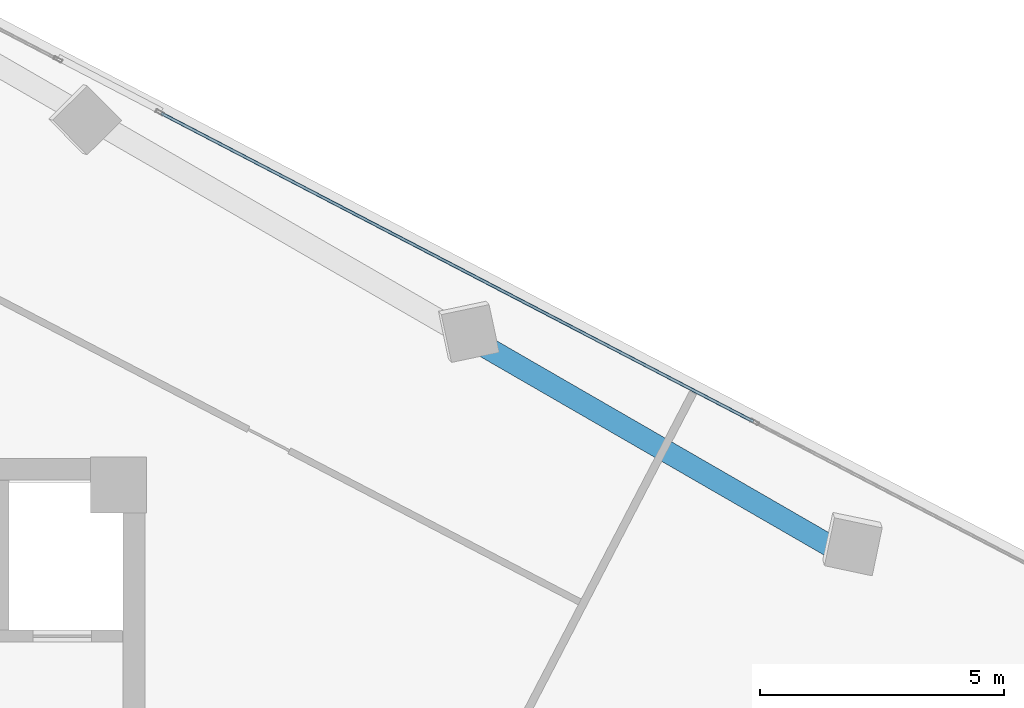
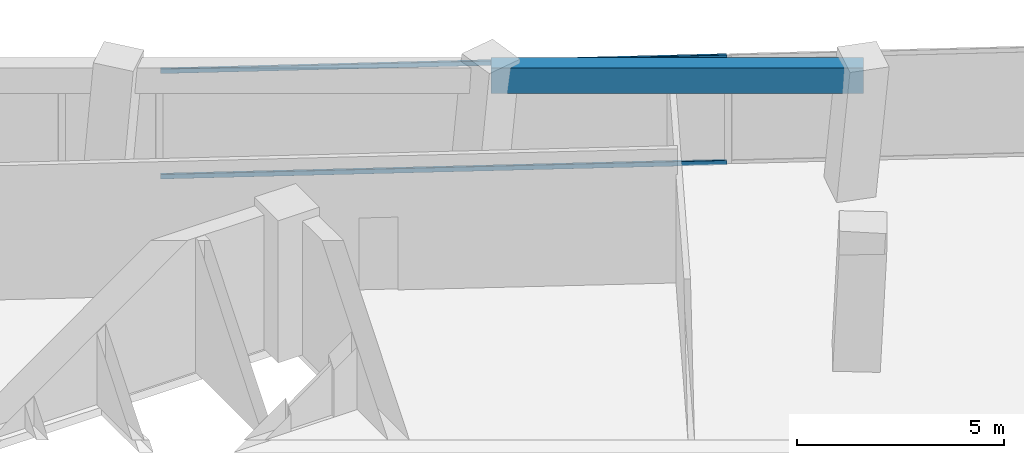
# One storey, part 14 of 22: 2 members, 1 beam, 1 element without a shape of its own.
"""IFC4 building model written with IfcOpenShell, lengths in metres."""

from ifc_helpers import new_model, si_unit, direction, frame, origin, origin_2d, place, context, subcontext, project, spatial, rectangle, hollow_rectangle, extrude, source, transform, mapped, material, material_profile, profile_set, type_object, element, aggregate, save


model = new_model("IFC4")

# Units and contexts
model_context = context("Model", 3, precision=1e-05, world=origin(), true_north=direction((0.0, 1.0)))
body_context = subcontext(model_context, "Body", "Model", "MODEL_VIEW")
ifc_project = project(units=[si_unit("LENGTHUNIT", "METRE"), si_unit("AREAUNIT", "SQUARE_METRE"), si_unit("VOLUMEUNIT", "CUBIC_METRE"), si_unit("PLANEANGLEUNIT", "RADIAN"), si_unit("MASSUNIT", "GRAM", prefix="KILO")], contexts=[model_context])

# Site, building, storey
site_placement = place(None, origin())
site = spatial("IfcSite", under=ifc_project, at=site_placement, CompositionType="ELEMENT")
building_placement = place(site_placement, origin())
building = spatial("IfcBuilding", under=site, at=building_placement, Name="Torre Montelarca", CompositionType="ELEMENT")
storey_placement = place(building_placement, frame((0.0, 0.0, 175.0)))
storey = spatial("IfcBuildingStorey", under=building, at=storey_placement, Name="L39", CompositionType="ELEMENT", Elevation=175.0)

# Beam
ifc_material_1 = material(Name="Concrete C55/67", Category="concrete")
ifc_material_profile_1 = material_profile(ifc_material_1, rectangle(XDim=0.449951171875, YDim=0.75, at=origin_2d()), Name="RCB450X750", Category="concrete")
ifc_profile_set_1 = profile_set([ifc_material_profile_1], Name="Concrete C55/67")
beam_type = type_object("IfcBeamType", Name="BM-SP-RC750-EXT", PredefinedType="SPANDREL", material=ifc_profile_set_1)
shared_shape_1 = source(origin(), body_context, "Body", "SweptSolid", [
    extrude(rectangle(XDim=0.449951171875, YDim=0.75, at=origin_2d()), origin(), (0.0, 0.0, 1.0), 9.0),
])
beam_placement = place(storey_placement, frame((33.838134765625, 42.370361328125, 3.5849609375), z_axis=(0.866024315419, -0.5000018851, 0.0), x_axis=(0.5000018851, 0.866024315419, 0.0)))
element("IfcBeam", 1, at=beam_placement, inside=storey, type_object=beam_type, Name="L39 Grid Girder X 27.0-36.0 at Y=47.1", PredefinedType="SPANDREL", context=body_context, shape_type="MappedRepresentation", body=[
    mapped(shared_shape_1, transform((0.0, 0.0, 0.0), scale=1.0)),
])

# Curtain wall, members
ifc_material_2 = material(Name="Insulated low-E laminated glass", Category="glass")
curtain_wall_type = type_object("IfcCurtainWallType", Name="CW-SYS-Z2", PredefinedType="USERDEFINED", material=ifc_material_2)
curtain_wall_placement = place(storey_placement, origin())
curtain_wall = element("IfcCurtainWall", 2, at=curtain_wall_placement, inside=storey, type_object=curtain_wall_type, Name="L39 Curtain Wall Run CW-T3-L39-E08-B1", ObjectType="UNITISED GLAZING", PredefinedType="USERDEFINED")
ifc_material_3 = material(Name="Anodised aluminium AA 6063-T6", Category="aluminium")
ifc_material_profile_2 = material_profile(ifc_material_3, hollow_rectangle(XDim=0.06494140625, YDim=0.139892578125, WallThickness=0.00390625, InnerFilletRadius=0.00390625, OuterFilletRadius=0.008056640625, at=origin_2d()), Name="ALU65X140X4", Category="aluminium")
ifc_profile_set_2 = profile_set([ifc_material_profile_2], Name="Anodised aluminium AA 6063-T6")
member_type = type_object("IfcMemberType", Name="CWT-ALU140", PredefinedType="USERDEFINED", material=ifc_profile_set_2)
shared_shape_2 = source(origin(), body_context, "Body", "SweptSolid", [
    extrude(hollow_rectangle(XDim=0.06494140625, YDim=0.139892578125, WallThickness=0.00390625, InnerFilletRadius=0.00390625, OuterFilletRadius=0.008056640625, at=origin_2d()), origin(), (0.0, 0.0, 1.0), 13.69775390625),
])
member_1_placement = place(storey_placement, frame((39.481689453125, 40.75634765625, 0.032470703125), z_axis=(-0.887007473922, 0.461755066248, 0.0), x_axis=(-0.461755066248, -0.887007473922, 0.0)))
member_1 = element("IfcMember", 3, at=member_1_placement, type_object=member_type, Name="CW transom 2.1", ObjectType="TRANSOM", PredefinedType="USERDEFINED", context=body_context, shape_type="MappedRepresentation", body=[
    mapped(shared_shape_2, transform((0.0, 0.0, 0.0), scale=1.0)),
])
member_2_placement = place(storey_placement, frame((39.481689453125, 40.75634765625, 3.142578125), z_axis=(-0.887007473922, 0.461755066248, 0.0), x_axis=(-0.461755066248, -0.887007473922, 0.0)))
member_2 = element("IfcMember", 4, at=member_2_placement, type_object=member_type, Name="CW transom 2.2", ObjectType="TRANSOM", PredefinedType="USERDEFINED", context=body_context, shape_type="MappedRepresentation", body=[
    mapped(shared_shape_2, transform((0.0, 0.0, 0.0), scale=1.0)),
])
aggregate(curtain_wall, [member_1, member_2])

save(model, "model.ifc")
